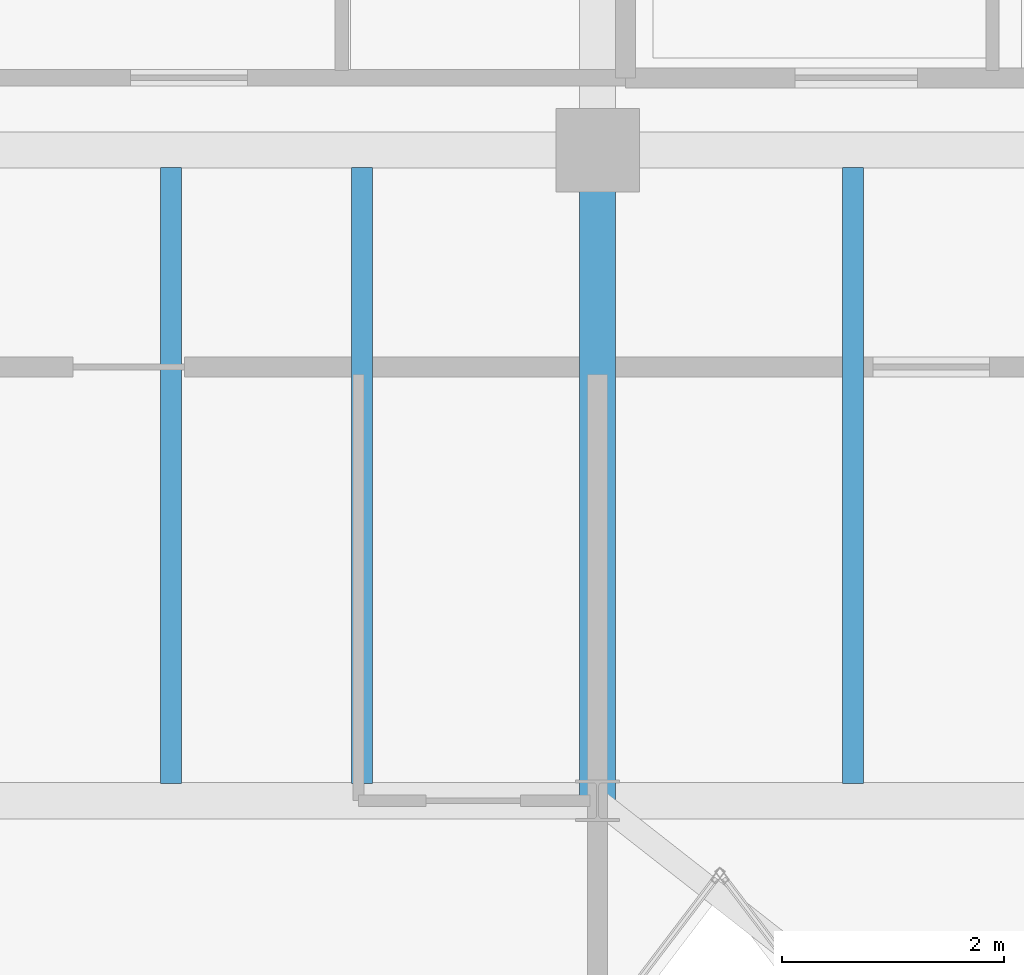
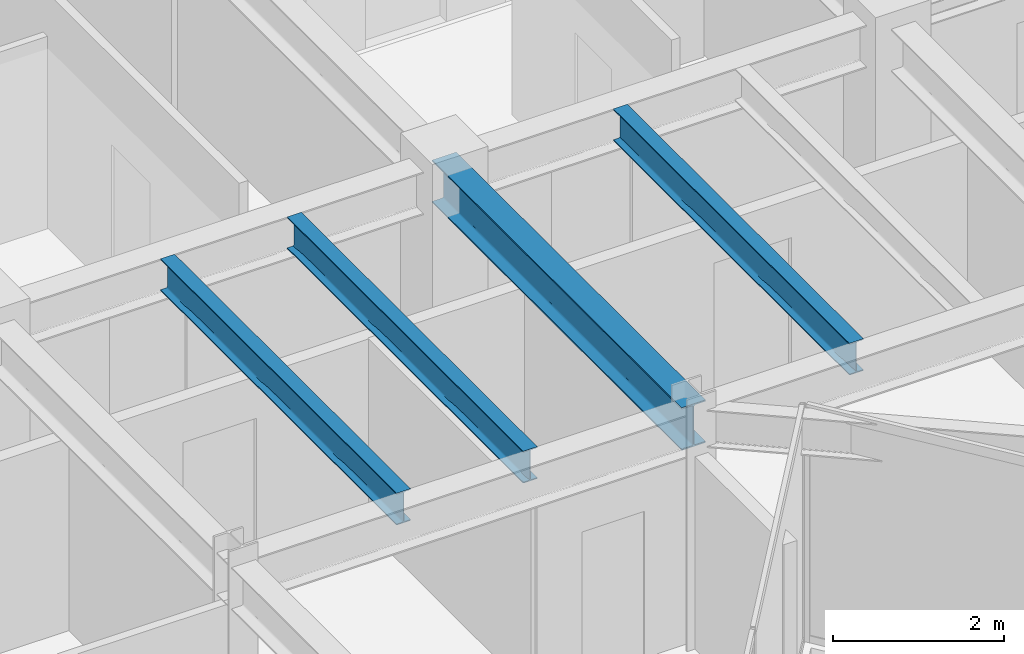
# One storey, part 5 of 16: 4 beams.
"""IFC4 building model written with IfcOpenShell, lengths in metres."""

from ifc_helpers import new_model, si_unit, direction, frame, origin, origin_2d, place, context, subcontext, project, spatial, i_section, extrude, material, material_profile, profile_set, type_object, element, save


model = new_model("IFC4")

# Units and contexts
model_context = context("Model", 3, precision=1e-05, world=origin(), true_north=direction((0.0, 1.0)))
body_context = subcontext(model_context, "Body", "Model", "MODEL_VIEW")
ifc_project = project(units=[si_unit("LENGTHUNIT", "METRE"), si_unit("AREAUNIT", "SQUARE_METRE"), si_unit("VOLUMEUNIT", "CUBIC_METRE"), si_unit("PLANEANGLEUNIT", "RADIAN"), si_unit("MASSUNIT", "GRAM", prefix="KILO")], contexts=[model_context])

# Site, building, storey
site_placement = place(None, origin())
site = spatial("IfcSite", under=ifc_project, at=site_placement, CompositionType="ELEMENT")
building_placement = place(site_placement, origin())
building = spatial("IfcBuilding", under=site, at=building_placement, Name="Kravanh Interchange Tower", CompositionType="ELEMENT")
storey_placement = place(building_placement, frame((0.0, 0.0, 296.699951171875)))
storey = spatial("IfcBuildingStorey", under=building, at=storey_placement, Name="L73", CompositionType="ELEMENT", Elevation=296.699951171875)

# Beams
ifc_material_1 = material(Name="Structural Steel S355", Category="steel")
ifc_material_profile_1 = material_profile(ifc_material_1, i_section(OverallWidth=0.323974609375, OverallDepth=0.611083984375, WebThickness=0.0126953125, FlangeThickness=0.01904296875, FilletRadius=0.02197265625, at=origin_2d()), Name="W24X104")
ifc_profile_set_1 = profile_set([ifc_material_profile_1], Name="Structural Steel S355")
beam_type_1 = type_object("IfcBeamType", Name="Floor Beam W24X104 Structural Steel S355", PredefinedType="BEAM", material=ifc_profile_set_1)
beam_placement = place(storey_placement, frame((44.800048828125, 31.5, 3.0595703125), z_axis=(0.0, 1.0, 0.0), x_axis=(-1.0, 0.0, 0.0)))
element("IfcBeam", 1, at=beam_placement, inside=storey, type_object=beam_type_1, Name="L73 Primary Floor Girder 1", PredefinedType="BEAM", context=body_context, shape_type="SweptSolid", body=[
    extrude(i_section(OverallWidth=0.323974609375, OverallDepth=0.611083984375, WebThickness=0.0126953125, FlangeThickness=0.01904296875, FilletRadius=0.02197265625, at=origin_2d()), origin(), (0.0, 0.0, 1.0), 5.85009765625),
])
ifc_material_2 = material(Name="Structural Steel S355", Category="steel")
ifc_material_profile_2 = material_profile(ifc_material_2, i_section(OverallWidth=0.18994140625, OverallDepth=0.45703125, WebThickness=0.009033203125, FlangeThickness=0.014404296875, FilletRadius=0.01806640625, at=origin_2d()), Name="W18X50")
ifc_profile_set_2 = profile_set([ifc_material_profile_2], Name="Structural Steel S355")
beam_type_2 = type_object("IfcBeamType", Name="Floor Joist W18X50 Structural Steel S355", PredefinedType="JOIST", material=ifc_profile_set_2)
for number, where, z_axis, x_axis, name in (
    (2, (40.965087890625, 31.656982421875, 3.136474609375), (0.0, 1.0, 0.0), (-1.0, 0.0, 0.0), "L73 Secondary Floor Joist 7"),
    (3, (42.679931640625, 31.656982421875, 3.136474609375), (0.0, 1.0, 0.0), (-1.0, 0.0, 0.0), "L73 Secondary Floor Joist 8"),
    (4, (47.094970703125, 31.656982421875, 3.136474609375), (0.0, 1.0, 0.0), (-1.0, 0.0, 0.0), "L73 Secondary Floor Joist 9"),
):
    element("IfcBeam", number, at=place(storey_placement, frame(where, z_axis=z_axis, x_axis=x_axis)), inside=storey, type_object=beam_type_2, Name=name, PredefinedType="JOIST", context=body_context, shape_type="SweptSolid", body=[
        extrude(i_section(OverallWidth=0.18994140625, OverallDepth=0.45703125, WebThickness=0.009033203125, FlangeThickness=0.014404296875, FilletRadius=0.01806640625, at=origin_2d()), origin(), (0.0, 0.0, 1.0), 5.5361328125),
    ])

save(model, "model.ifc")
